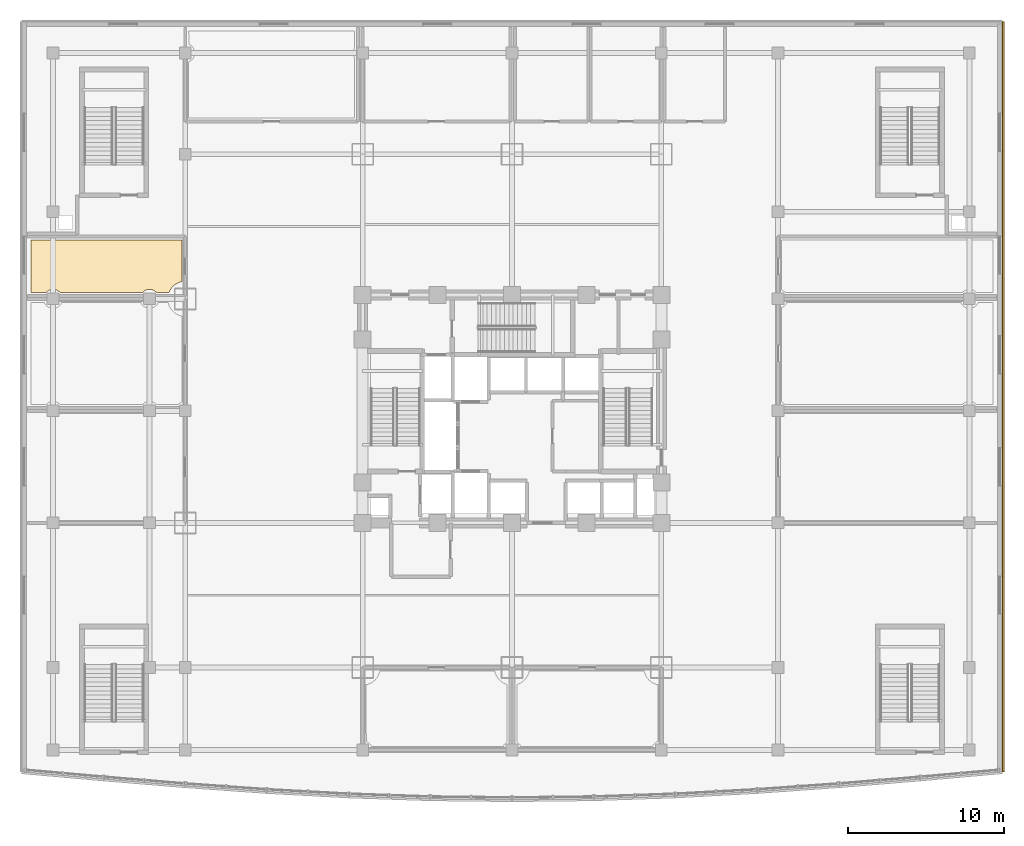
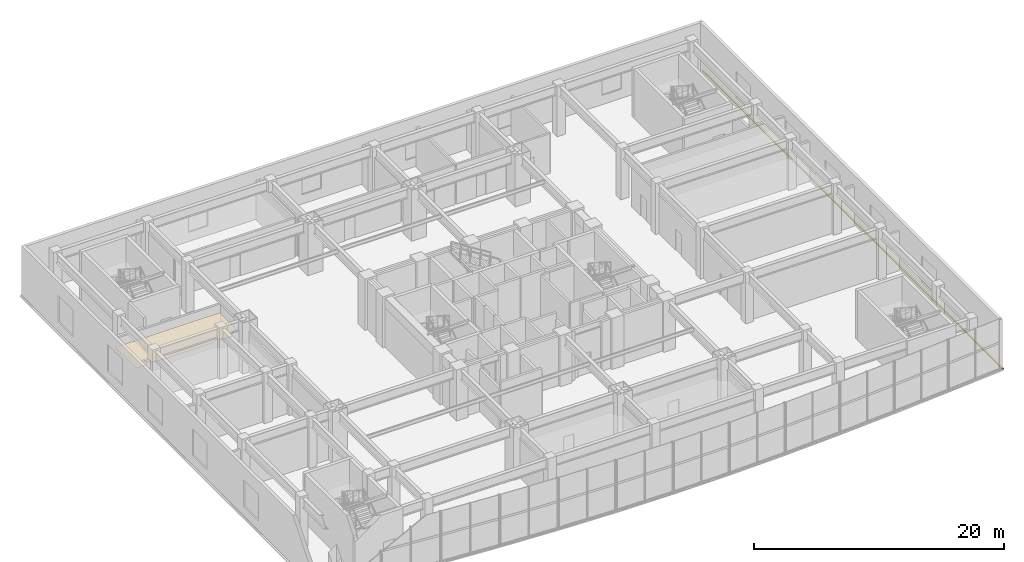
# One storey, part 21 of 24: 2 coverings.
"""IFC4 building model written with IfcOpenShell, lengths in metres."""

from ifc_helpers import new_model, si_unit, direction, frame, origin, place, context, subcontext, project, spatial, polyline, outline, extrude, material, layer, layer_set, type_object, element, save


model = new_model("IFC4")

# Units and contexts
model_context = context("Model", 3, precision=1e-05, world=origin(), true_north=direction((0.0, 1.0)))
body_context = subcontext(model_context, "Body", "Model", "MODEL_VIEW")
ifc_project = project(units=[si_unit("LENGTHUNIT", "METRE"), si_unit("AREAUNIT", "SQUARE_METRE"), si_unit("VOLUMEUNIT", "CUBIC_METRE"), si_unit("PLANEANGLEUNIT", "RADIAN"), si_unit("MASSUNIT", "GRAM", prefix="KILO")], contexts=[model_context])

# Site, building, storey
site_placement = place(None, origin())
site = spatial("IfcSite", under=ifc_project, at=site_placement, CompositionType="ELEMENT")
building_placement = place(site_placement, origin())
building = spatial("IfcBuilding", under=site, at=building_placement, Name="Vantalir Tower", CompositionType="ELEMENT")
storey_placement = place(building_placement, frame((0.0, 0.0, 11.0)))
storey = spatial("IfcBuildingStorey", under=building, at=storey_placement, Name="L02", CompositionType="ELEMENT", Elevation=11.0)

# Coverings
ifc_material_1 = material(Name="Perforated acoustic gypsum ceiling board", Category="gypsum")
ifc_layer_1 = layer(ifc_material_1, 0.02001953125)
ifc_layer_set_1 = layer_set([ifc_layer_1], Name="Perforated acoustic gypsum ceiling board")
covering_type_1 = type_object("IfcCoveringType", Name="COV-ACOUSTIC-CEIL-20", PredefinedType="CEILING", material=ifc_layer_set_1)
covering_1_placement = place(storey_placement, frame((0.0, 0.0, 3.1298828125)))
element("IfcCovering", 1, at=covering_1_placement, inside=storey, type_object=covering_type_1, Name="Level 02 Seminar Room 1 Suspended Ceiling", PredefinedType="CEILING", context=body_context, shape_type="SweptSolid", body=[
    extrude(outline(polyline([(10.280029296875, 35.97998046875), (0.570068359375, 35.97998046875), (0.570068359375, 32.60009765625), (1.54296875, 32.60009765625), (1.570068359375, 32.6298828125), (1.614013671875, 32.669921875), (1.662109375, 32.7060546875), (1.712890625, 32.736083984375), (1.76708984375, 32.761962890625), (1.823974609375, 32.781982421875), (1.881103515625, 32.7958984375), (1.93994140625, 32.804931640625), (2.0, 32.80810546875), (2.06005859375, 32.804931640625), (2.118896484375, 32.7958984375), (2.176025390625, 32.781982421875), (2.23291015625, 32.761962890625), (2.287109375, 32.736083984375), (2.337890625, 32.7060546875), (2.385986328125, 32.669921875), (2.429931640625, 32.6298828125), (2.45703125, 32.60009765625), (7.742919921875, 32.60009765625), (7.77001953125, 32.6298828125), (7.81396484375, 32.669921875), (7.862060546875, 32.7060546875), (7.9130859375, 32.736083984375), (7.967041015625, 32.761962890625), (8.02392578125, 32.781982421875), (8.0810546875, 32.7958984375), (8.139892578125, 32.804931640625), (8.199951171875, 32.80810546875), (8.260009765625, 32.804931640625), (8.319091796875, 32.7958984375), (8.3759765625, 32.781982421875), (8.43310546875, 32.761962890625), (8.487060546875, 32.736083984375), (8.5380859375, 32.7060546875), (8.5859375, 32.669921875), (8.6298828125, 32.6298828125), (8.656982421875, 32.60009765625), (9.447021484375, 32.60009765625), (9.4580078125, 32.632080078125), (9.5048828125, 32.73193359375), (9.56201171875, 32.826904296875), (9.6279296875, 32.916015625), (9.701904296875, 32.998046875), (9.783935546875, 33.072021484375), (9.873046875, 33.137939453125), (9.968017578125, 33.195068359375), (10.068115234375, 33.241943359375), (10.173095703125, 33.279052734375), (10.280029296875, 33.305908203125), (10.280029296875, 35.97998046875)])), origin(), (0.0, 0.0, 1.0), 0.02001953125),
])
ifc_material_2 = material(Name="Anodised champagne aluminium sill fascia", Category="aluminium")
ifc_layer_2 = layer(ifc_material_2, 0.125)
ifc_layer_set_2 = layer_set([ifc_layer_2], Name="Anodised champagne aluminium sill fascia")
covering_type_2 = type_object("IfcCoveringType", Name="COV-SLAB-FASCIA-125", PredefinedType="CLADDING", material=ifc_layer_set_2)
covering_2_placement = place(storey_placement, frame((0.0, 0.0, -0.179931640625)))
element("IfcCovering", 2, at=covering_2_placement, inside=storey, type_object=covering_type_2, Name="Level 02 Podium Slab-Edge Fascia E", PredefinedType="CLADDING", context=body_context, shape_type="SweptSolid", body=[
    extrude(outline(polyline([(63.0, 1.800048828125), (63.125, 1.800048828125), (63.125, 50.0), (63.0, 50.0), (63.0, 1.800048828125)])), origin(), (0.0, 0.0, 1.0), 0.10498046875),
])

save(model, "model.ifc")
